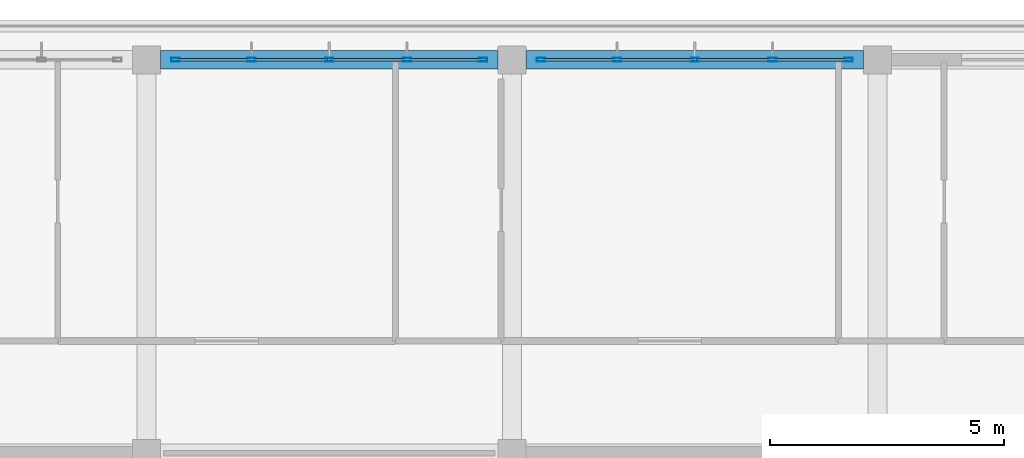
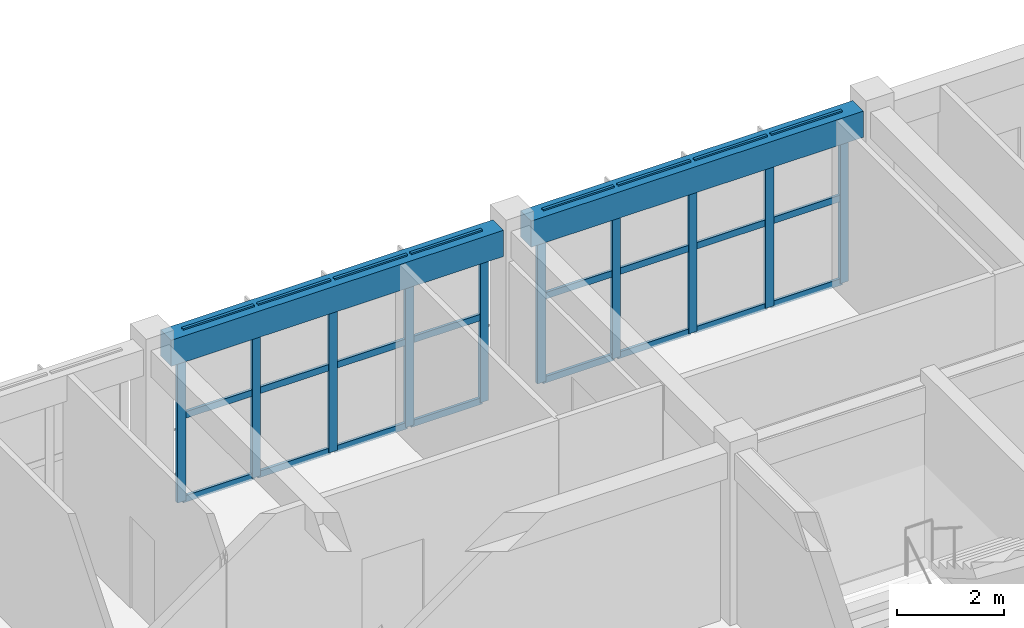
# One storey, part 17 of 50: 34 members, 2 beams, 2 elements without a shape of their own.
"""IFC4 building model written with IfcOpenShell, lengths in metres."""

from ifc_helpers import new_model, si_unit, direction, frame, origin, origin_2d, place, context, subcontext, project, spatial, rectangle, hollow_rectangle, extrude, material, layer, layer_set, material_profile, profile_set, type_object, element, aggregate, save


model = new_model("IFC4")

# Units and contexts
model_context = context("Model", 3, precision=1e-05, world=origin(), true_north=direction((0.0, 1.0)))
body_context = subcontext(model_context, "Body", "Model", "MODEL_VIEW")
ifc_project = project(units=[si_unit("LENGTHUNIT", "METRE"), si_unit("AREAUNIT", "SQUARE_METRE"), si_unit("VOLUMEUNIT", "CUBIC_METRE"), si_unit("PLANEANGLEUNIT", "RADIAN"), si_unit("MASSUNIT", "GRAM", prefix="KILO")], contexts=[model_context])

# Site, building, storey
site_placement = place(None, origin())
site = spatial("IfcSite", under=ifc_project, at=site_placement, CompositionType="ELEMENT")
building_placement = place(site_placement, origin())
building = spatial("IfcBuilding", under=site, at=building_placement, Name="Zizhar Promenade General Hospital", CompositionType="ELEMENT")
storey_placement = place(building_placement, frame((0.0, 0.0, 30.60009765625)))
storey = spatial("IfcBuildingStorey", under=building, at=storey_placement, Name="L07", CompositionType="ELEMENT", Elevation=30.60009765625)

# Beams
ifc_material_1 = material(Name="Concrete C35/45", Category="concrete")
ifc_material_profile_1 = material_profile(ifc_material_1, rectangle(XDim=0.39990234375, YDim=0.60009765625, at=origin_2d()))
ifc_profile_set_1 = profile_set([ifc_material_profile_1], Name="Concrete C35/45")
beam_type = type_object("IfcBeamType", Name="BM-RC-400x600", PredefinedType="JOIST", material=ifc_profile_set_1)
beam_1_placement = place(storey_placement, frame((54.89990234375, 25.199951171875, 3.60986328125), z_axis=(1.0, 0.0, 0.0), x_axis=(0.0, 1.0, 0.0)))
element("IfcBeam", 1, at=beam_1_placement, inside=storey, type_object=beam_type, Name="Grid Beam X L07 (7-3)", PredefinedType="JOIST", context=body_context, shape_type="SweptSolid", body=[
    extrude(rectangle(XDim=0.39990234375, YDim=0.60009765625, at=origin_2d()), origin(), (0.0, 0.0, 1.0), 7.2001953125),
])
beam_2_placement = place(storey_placement, frame((62.699951171875, 25.199951171875, 3.60986328125), z_axis=(1.0, 0.0, 0.0), x_axis=(0.0, 1.0, 0.0)))
element("IfcBeam", 2, at=beam_2_placement, inside=storey, type_object=beam_type, Name="Grid Beam X L07 (8-3)", PredefinedType="JOIST", context=body_context, shape_type="SweptSolid", body=[
    extrude(rectangle(XDim=0.39990234375, YDim=0.60009765625, at=origin_2d()), origin(), (0.0, 0.0, 1.0), 7.199951171875),
])

# Curtain wall, members
ifc_material_2 = material(Name="Anodised aluminium 6063-T6 and low-E glass", Category="aluminium")
ifc_layer = layer(ifc_material_2, 0.159912109375)
ifc_layer_set = layer_set([ifc_layer], Name="Anodised aluminium 6063-T6 and low-E glass")
curtain_wall_type = type_object("IfcCurtainWallType", Name="CW-WARD-RIB", PredefinedType="NOTDEFINED", material=ifc_layer_set)
curtain_wall_1_placement = place(storey_placement, origin())
curtain_wall_1 = element("IfcCurtainWall", 3, at=curtain_wall_1_placement, inside=storey, type_object=curtain_wall_type, Name="Ward Ribbon Curtain Wall L07-8-2", PredefinedType="NOTDEFINED")
ifc_material_3 = material(Name="Anodised aluminium 6063-T6", Category="aluminium")
ifc_material_profile_2 = material_profile(ifc_material_3, hollow_rectangle(XDim=0.080078125, YDim=0.179931640625, WallThickness=0.0048828125, at=origin_2d()))
ifc_profile_set_2 = profile_set([ifc_material_profile_2], Name="Anodised aluminium 6063-T6")
member_type_1 = type_object("IfcMemberType", Name="CWM-ALU-180x80", PredefinedType="MULLION", material=ifc_profile_set_2)
member_1_placement = place(storey_placement, frame((55.219970703125, 25.199951171875, 0.0), z_axis=(0.0, 0.0, 1.0), x_axis=(0.0, 1.0, 0.0)))
member_1 = element("IfcMember", 4, at=member_1_placement, type_object=member_type_1, Name="CW-13 mullion 1", PredefinedType="MULLION", context=body_context, shape_type="SweptSolid", body=[
    extrude(hollow_rectangle(XDim=0.080078125, YDim=0.179931640625, WallThickness=0.0048828125, at=origin_2d()), origin(), (0.0, 0.0, 1.0), 3.89990234375),
])
member_2_placement = place(storey_placement, frame((56.840087890625, 25.199951171875, 0.0), z_axis=(0.0, 0.0, 1.0), x_axis=(0.0, 1.0, 0.0)))
member_2 = element("IfcMember", 5, at=member_2_placement, type_object=member_type_1, Name="CW-13 mullion 2", PredefinedType="MULLION", context=body_context, shape_type="SweptSolid", body=[
    extrude(hollow_rectangle(XDim=0.080078125, YDim=0.179931640625, WallThickness=0.0048828125, at=origin_2d()), origin(), (0.0, 0.0, 1.0), 3.89990234375),
])
member_3_placement = place(storey_placement, frame((58.5, 25.199951171875, 0.0), z_axis=(0.0, 0.0, 1.0), x_axis=(0.0, 1.0, 0.0)))
member_3 = element("IfcMember", 6, at=member_3_placement, type_object=member_type_1, Name="CW-13 mullion 3", PredefinedType="MULLION", context=body_context, shape_type="SweptSolid", body=[
    extrude(hollow_rectangle(XDim=0.080078125, YDim=0.179931640625, WallThickness=0.0048828125, at=origin_2d()), origin(), (0.0, 0.0, 1.0), 3.89990234375),
])
member_4_placement = place(storey_placement, frame((60.159912109375, 25.199951171875, 0.0), z_axis=(0.0, 0.0, 1.0), x_axis=(0.0, 1.0, 0.0)))
member_4 = element("IfcMember", 7, at=member_4_placement, type_object=member_type_1, Name="CW-13 mullion 4", PredefinedType="MULLION", context=body_context, shape_type="SweptSolid", body=[
    extrude(hollow_rectangle(XDim=0.080078125, YDim=0.179931640625, WallThickness=0.0048828125, at=origin_2d()), origin(), (0.0, 0.0, 1.0), 3.89990234375),
])
member_5_placement = place(storey_placement, frame((61.780029296875, 25.199951171875, 0.0), z_axis=(0.0, 0.0, 1.0), x_axis=(0.0, 1.0, 0.0)))
member_5 = element("IfcMember", 8, at=member_5_placement, type_object=member_type_1, Name="CW-13 mullion 5", PredefinedType="MULLION", context=body_context, shape_type="SweptSolid", body=[
    extrude(hollow_rectangle(XDim=0.080078125, YDim=0.179931640625, WallThickness=0.0048828125, at=origin_2d()), origin(), (0.0, 0.0, 1.0), 3.89990234375),
])

curtain_wall_2_placement = place(storey_placement, origin())
curtain_wall_2 = element("IfcCurtainWall", 9, at=curtain_wall_2_placement, inside=storey, type_object=curtain_wall_type, Name="Ward Ribbon Curtain Wall L07-8-3", PredefinedType="NOTDEFINED")
member_6_placement = place(storey_placement, frame((63.02001953125, 25.199951171875, 0.0), z_axis=(0.0, 0.0, 1.0), x_axis=(0.0, 1.0, 0.0)))
member_6 = element("IfcMember", 10, at=member_6_placement, type_object=member_type_1, Name="CW-13 mullion 1", PredefinedType="MULLION", context=body_context, shape_type="SweptSolid", body=[
    extrude(hollow_rectangle(XDim=0.080078125, YDim=0.179931640625, WallThickness=0.0048828125, at=origin_2d()), origin(), (0.0, 0.0, 1.0), 3.89990234375),
])
member_7_placement = place(storey_placement, frame((64.639892578125, 25.199951171875, 0.0), z_axis=(0.0, 0.0, 1.0), x_axis=(0.0, 1.0, 0.0)))
member_7 = element("IfcMember", 11, at=member_7_placement, type_object=member_type_1, Name="CW-13 mullion 2", PredefinedType="MULLION", context=body_context, shape_type="SweptSolid", body=[
    extrude(hollow_rectangle(XDim=0.080078125, YDim=0.179931640625, WallThickness=0.0048828125, at=origin_2d()), origin(), (0.0, 0.0, 1.0), 3.89990234375),
])
member_8_placement = place(storey_placement, frame((66.300048828125, 25.199951171875, 0.0), z_axis=(0.0, 0.0, 1.0), x_axis=(0.0, 1.0, 0.0)))
member_8 = element("IfcMember", 12, at=member_8_placement, type_object=member_type_1, Name="CW-13 mullion 3", PredefinedType="MULLION", context=body_context, shape_type="SweptSolid", body=[
    extrude(hollow_rectangle(XDim=0.080078125, YDim=0.179931640625, WallThickness=0.0048828125, at=origin_2d()), origin(), (0.0, 0.0, 1.0), 3.89990234375),
])
member_9_placement = place(storey_placement, frame((67.9599609375, 25.199951171875, 0.0), z_axis=(0.0, 0.0, 1.0), x_axis=(0.0, 1.0, 0.0)))
member_9 = element("IfcMember", 13, at=member_9_placement, type_object=member_type_1, Name="CW-13 mullion 4", PredefinedType="MULLION", context=body_context, shape_type="SweptSolid", body=[
    extrude(hollow_rectangle(XDim=0.080078125, YDim=0.179931640625, WallThickness=0.0048828125, at=origin_2d()), origin(), (0.0, 0.0, 1.0), 3.89990234375),
])
member_10_placement = place(storey_placement, frame((69.580078125, 25.199951171875, 0.0), z_axis=(0.0, 0.0, 1.0), x_axis=(0.0, 1.0, 0.0)))
member_10 = element("IfcMember", 14, at=member_10_placement, type_object=member_type_1, Name="CW-13 mullion 5", PredefinedType="MULLION", context=body_context, shape_type="SweptSolid", body=[
    extrude(hollow_rectangle(XDim=0.080078125, YDim=0.179931640625, WallThickness=0.0048828125, at=origin_2d()), origin(), (0.0, 0.0, 1.0), 3.89990234375),
])

# Member
ifc_material_4 = material(Name="Anodised aluminium 6063-T6", Category="aluminium")
ifc_material_profile_3 = material_profile(ifc_material_4, hollow_rectangle(XDim=0.06005859375, YDim=0.14990234375, WallThickness=0.00390625, at=origin_2d()))
ifc_profile_set_3 = profile_set([ifc_material_profile_3], Name="Anodised aluminium 6063-T6")
member_type_2 = type_object("IfcMemberType", Name="CWT-ALU-150x60", PredefinedType="USERDEFINED", material=ifc_profile_set_3)
member_11_placement = place(storey_placement, frame((55.260009765625, 25.199951171875, 0.02978515625), z_axis=(1.0, 0.0, 0.0), x_axis=(0.0, 1.0, 0.0)))
member_11 = element("IfcMember", 15, at=member_11_placement, type_object=member_type_2, Name="CW-13 transom 1.1", ObjectType="TRANSOM", PredefinedType="USERDEFINED", context=body_context, shape_type="SweptSolid", body=[
    extrude(hollow_rectangle(XDim=0.06005859375, YDim=0.14990234375, WallThickness=0.00390625, at=origin_2d()), origin(), (0.0, 0.0, 1.0), 1.5400390625),
])

member_12_placement = place(storey_placement, frame((55.260009765625, 25.199951171875, 1.949951171875), z_axis=(1.0, 0.0, 0.0), x_axis=(0.0, 1.0, 0.0)))
member_12 = element("IfcMember", 16, at=member_12_placement, type_object=member_type_2, Name="CW-13 transom 1.2", ObjectType="TRANSOM", PredefinedType="USERDEFINED", context=body_context, shape_type="SweptSolid", body=[
    extrude(hollow_rectangle(XDim=0.06005859375, YDim=0.14990234375, WallThickness=0.00390625, at=origin_2d()), origin(), (0.0, 0.0, 1.0), 1.5400390625),
])

member_13_placement = place(storey_placement, frame((55.260009765625, 25.199951171875, 3.869873046875), z_axis=(1.0, 0.0, 0.0), x_axis=(0.0, 1.0, 0.0)))
member_13 = element("IfcMember", 17, at=member_13_placement, type_object=member_type_2, Name="CW-13 transom 1.3", ObjectType="TRANSOM", PredefinedType="USERDEFINED", context=body_context, shape_type="SweptSolid", body=[
    extrude(hollow_rectangle(XDim=0.06005859375, YDim=0.14990234375, WallThickness=0.00390625, at=origin_2d()), origin(), (0.0, 0.0, 1.0), 1.5400390625),
])

member_14_placement = place(storey_placement, frame((56.8798828125, 25.199951171875, 0.02978515625), z_axis=(1.0, 0.0, 0.0), x_axis=(0.0, 1.0, 0.0)))
member_14 = element("IfcMember", 18, at=member_14_placement, type_object=member_type_2, Name="CW-13 transom 2.1", ObjectType="TRANSOM", PredefinedType="USERDEFINED", context=body_context, shape_type="SweptSolid", body=[
    extrude(hollow_rectangle(XDim=0.06005859375, YDim=0.14990234375, WallThickness=0.00390625, at=origin_2d()), origin(), (0.0, 0.0, 1.0), 1.580078125),
])

member_15_placement = place(storey_placement, frame((56.8798828125, 25.199951171875, 1.949951171875), z_axis=(1.0, 0.0, 0.0), x_axis=(0.0, 1.0, 0.0)))
member_15 = element("IfcMember", 19, at=member_15_placement, type_object=member_type_2, Name="CW-13 transom 2.2", ObjectType="TRANSOM", PredefinedType="USERDEFINED", context=body_context, shape_type="SweptSolid", body=[
    extrude(hollow_rectangle(XDim=0.06005859375, YDim=0.14990234375, WallThickness=0.00390625, at=origin_2d()), origin(), (0.0, 0.0, 1.0), 1.580078125),
])

member_16_placement = place(storey_placement, frame((56.8798828125, 25.199951171875, 3.869873046875), z_axis=(1.0, 0.0, 0.0), x_axis=(0.0, 1.0, 0.0)))
member_16 = element("IfcMember", 20, at=member_16_placement, type_object=member_type_2, Name="CW-13 transom 2.3", ObjectType="TRANSOM", PredefinedType="USERDEFINED", context=body_context, shape_type="SweptSolid", body=[
    extrude(hollow_rectangle(XDim=0.06005859375, YDim=0.14990234375, WallThickness=0.00390625, at=origin_2d()), origin(), (0.0, 0.0, 1.0), 1.580078125),
])

member_17_placement = place(storey_placement, frame((58.5400390625, 25.199951171875, 0.02978515625), z_axis=(1.0, 0.0, 0.0), x_axis=(0.0, 1.0, 0.0)))
member_17 = element("IfcMember", 21, at=member_17_placement, type_object=member_type_2, Name="CW-13 transom 3.1", ObjectType="TRANSOM", PredefinedType="USERDEFINED", context=body_context, shape_type="SweptSolid", body=[
    extrude(hollow_rectangle(XDim=0.06005859375, YDim=0.14990234375, WallThickness=0.00390625, at=origin_2d()), origin(), (0.0, 0.0, 1.0), 1.580078125),
])

member_18_placement = place(storey_placement, frame((58.5400390625, 25.199951171875, 1.949951171875), z_axis=(1.0, 0.0, 0.0), x_axis=(0.0, 1.0, 0.0)))
member_18 = element("IfcMember", 22, at=member_18_placement, type_object=member_type_2, Name="CW-13 transom 3.2", ObjectType="TRANSOM", PredefinedType="USERDEFINED", context=body_context, shape_type="SweptSolid", body=[
    extrude(hollow_rectangle(XDim=0.06005859375, YDim=0.14990234375, WallThickness=0.00390625, at=origin_2d()), origin(), (0.0, 0.0, 1.0), 1.580078125),
])

member_19_placement = place(storey_placement, frame((58.5400390625, 25.199951171875, 3.869873046875), z_axis=(1.0, 0.0, 0.0), x_axis=(0.0, 1.0, 0.0)))
member_19 = element("IfcMember", 23, at=member_19_placement, type_object=member_type_2, Name="CW-13 transom 3.3", ObjectType="TRANSOM", PredefinedType="USERDEFINED", context=body_context, shape_type="SweptSolid", body=[
    extrude(hollow_rectangle(XDim=0.06005859375, YDim=0.14990234375, WallThickness=0.00390625, at=origin_2d()), origin(), (0.0, 0.0, 1.0), 1.580078125),
])

member_20_placement = place(storey_placement, frame((60.199951171875, 25.199951171875, 0.02978515625), z_axis=(1.0, 0.0, 0.0), x_axis=(0.0, 1.0, 0.0)))
member_20 = element("IfcMember", 24, at=member_20_placement, type_object=member_type_2, Name="CW-13 transom 4.1", ObjectType="TRANSOM", PredefinedType="USERDEFINED", context=body_context, shape_type="SweptSolid", body=[
    extrude(hollow_rectangle(XDim=0.06005859375, YDim=0.14990234375, WallThickness=0.00390625, at=origin_2d()), origin(), (0.0, 0.0, 1.0), 1.5400390625),
])

member_21_placement = place(storey_placement, frame((60.199951171875, 25.199951171875, 1.949951171875), z_axis=(1.0, 0.0, 0.0), x_axis=(0.0, 1.0, 0.0)))
member_21 = element("IfcMember", 25, at=member_21_placement, type_object=member_type_2, Name="CW-13 transom 4.2", ObjectType="TRANSOM", PredefinedType="USERDEFINED", context=body_context, shape_type="SweptSolid", body=[
    extrude(hollow_rectangle(XDim=0.06005859375, YDim=0.14990234375, WallThickness=0.00390625, at=origin_2d()), origin(), (0.0, 0.0, 1.0), 1.5400390625),
])

member_22_placement = place(storey_placement, frame((60.199951171875, 25.199951171875, 3.869873046875), z_axis=(1.0, 0.0, 0.0), x_axis=(0.0, 1.0, 0.0)))
member_22 = element("IfcMember", 26, at=member_22_placement, type_object=member_type_2, Name="CW-13 transom 4.3", ObjectType="TRANSOM", PredefinedType="USERDEFINED", context=body_context, shape_type="SweptSolid", body=[
    extrude(hollow_rectangle(XDim=0.06005859375, YDim=0.14990234375, WallThickness=0.00390625, at=origin_2d()), origin(), (0.0, 0.0, 1.0), 1.5400390625),
])

aggregate(curtain_wall_1, [member_1, member_2, member_3, member_4, member_5, member_11, member_12, member_13, member_14, member_15, member_16, member_17, member_18, member_19, member_20, member_21, member_22])

member_23_placement = place(storey_placement, frame((63.06005859375, 25.199951171875, 0.02978515625), z_axis=(1.0, 0.0, 0.0), x_axis=(0.0, 1.0, 0.0)))
member_23 = element("IfcMember", 27, at=member_23_placement, type_object=member_type_2, Name="CW-13 transom 1.1", ObjectType="TRANSOM", PredefinedType="USERDEFINED", context=body_context, shape_type="SweptSolid", body=[
    extrude(hollow_rectangle(XDim=0.06005859375, YDim=0.14990234375, WallThickness=0.00390625, at=origin_2d()), origin(), (0.0, 0.0, 1.0), 1.5400390625),
])

member_24_placement = place(storey_placement, frame((63.06005859375, 25.199951171875, 1.949951171875), z_axis=(1.0, 0.0, 0.0), x_axis=(0.0, 1.0, 0.0)))
member_24 = element("IfcMember", 28, at=member_24_placement, type_object=member_type_2, Name="CW-13 transom 1.2", ObjectType="TRANSOM", PredefinedType="USERDEFINED", context=body_context, shape_type="SweptSolid", body=[
    extrude(hollow_rectangle(XDim=0.06005859375, YDim=0.14990234375, WallThickness=0.00390625, at=origin_2d()), origin(), (0.0, 0.0, 1.0), 1.5400390625),
])

member_25_placement = place(storey_placement, frame((63.06005859375, 25.199951171875, 3.869873046875), z_axis=(1.0, 0.0, 0.0), x_axis=(0.0, 1.0, 0.0)))
member_25 = element("IfcMember", 29, at=member_25_placement, type_object=member_type_2, Name="CW-13 transom 1.3", ObjectType="TRANSOM", PredefinedType="USERDEFINED", context=body_context, shape_type="SweptSolid", body=[
    extrude(hollow_rectangle(XDim=0.06005859375, YDim=0.14990234375, WallThickness=0.00390625, at=origin_2d()), origin(), (0.0, 0.0, 1.0), 1.5400390625),
])

member_26_placement = place(storey_placement, frame((64.679931640625, 25.199951171875, 0.02978515625), z_axis=(1.0, 0.0, 0.0), x_axis=(0.0, 1.0, 0.0)))
member_26 = element("IfcMember", 30, at=member_26_placement, type_object=member_type_2, Name="CW-13 transom 2.1", ObjectType="TRANSOM", PredefinedType="USERDEFINED", context=body_context, shape_type="SweptSolid", body=[
    extrude(hollow_rectangle(XDim=0.06005859375, YDim=0.14990234375, WallThickness=0.00390625, at=origin_2d()), origin(), (0.0, 0.0, 1.0), 1.580078125),
])

member_27_placement = place(storey_placement, frame((64.679931640625, 25.199951171875, 1.949951171875), z_axis=(1.0, 0.0, 0.0), x_axis=(0.0, 1.0, 0.0)))
member_27 = element("IfcMember", 31, at=member_27_placement, type_object=member_type_2, Name="CW-13 transom 2.2", ObjectType="TRANSOM", PredefinedType="USERDEFINED", context=body_context, shape_type="SweptSolid", body=[
    extrude(hollow_rectangle(XDim=0.06005859375, YDim=0.14990234375, WallThickness=0.00390625, at=origin_2d()), origin(), (0.0, 0.0, 1.0), 1.580078125),
])

member_28_placement = place(storey_placement, frame((64.679931640625, 25.199951171875, 3.869873046875), z_axis=(1.0, 0.0, 0.0), x_axis=(0.0, 1.0, 0.0)))
member_28 = element("IfcMember", 32, at=member_28_placement, type_object=member_type_2, Name="CW-13 transom 2.3", ObjectType="TRANSOM", PredefinedType="USERDEFINED", context=body_context, shape_type="SweptSolid", body=[
    extrude(hollow_rectangle(XDim=0.06005859375, YDim=0.14990234375, WallThickness=0.00390625, at=origin_2d()), origin(), (0.0, 0.0, 1.0), 1.580078125),
])

member_29_placement = place(storey_placement, frame((66.340087890625, 25.199951171875, 0.02978515625), z_axis=(1.0, 0.0, 0.0), x_axis=(0.0, 1.0, 0.0)))
member_29 = element("IfcMember", 33, at=member_29_placement, type_object=member_type_2, Name="CW-13 transom 3.1", ObjectType="TRANSOM", PredefinedType="USERDEFINED", context=body_context, shape_type="SweptSolid", body=[
    extrude(hollow_rectangle(XDim=0.06005859375, YDim=0.14990234375, WallThickness=0.00390625, at=origin_2d()), origin(), (0.0, 0.0, 1.0), 1.579833984375),
])

member_30_placement = place(storey_placement, frame((66.340087890625, 25.199951171875, 1.949951171875), z_axis=(1.0, 0.0, 0.0), x_axis=(0.0, 1.0, 0.0)))
member_30 = element("IfcMember", 34, at=member_30_placement, type_object=member_type_2, Name="CW-13 transom 3.2", ObjectType="TRANSOM", PredefinedType="USERDEFINED", context=body_context, shape_type="SweptSolid", body=[
    extrude(hollow_rectangle(XDim=0.06005859375, YDim=0.14990234375, WallThickness=0.00390625, at=origin_2d()), origin(), (0.0, 0.0, 1.0), 1.579833984375),
])

member_31_placement = place(storey_placement, frame((66.340087890625, 25.199951171875, 3.869873046875), z_axis=(1.0, 0.0, 0.0), x_axis=(0.0, 1.0, 0.0)))
member_31 = element("IfcMember", 35, at=member_31_placement, type_object=member_type_2, Name="CW-13 transom 3.3", ObjectType="TRANSOM", PredefinedType="USERDEFINED", context=body_context, shape_type="SweptSolid", body=[
    extrude(hollow_rectangle(XDim=0.06005859375, YDim=0.14990234375, WallThickness=0.00390625, at=origin_2d()), origin(), (0.0, 0.0, 1.0), 1.579833984375),
])

member_32_placement = place(storey_placement, frame((68.0, 25.199951171875, 0.02978515625), z_axis=(1.0, 0.0, 0.0), x_axis=(0.0, 1.0, 0.0)))
member_32 = element("IfcMember", 36, at=member_32_placement, type_object=member_type_2, Name="CW-13 transom 4.1", ObjectType="TRANSOM", PredefinedType="USERDEFINED", context=body_context, shape_type="SweptSolid", body=[
    extrude(hollow_rectangle(XDim=0.06005859375, YDim=0.14990234375, WallThickness=0.00390625, at=origin_2d()), origin(), (0.0, 0.0, 1.0), 1.5400390625),
])

member_33_placement = place(storey_placement, frame((68.0, 25.199951171875, 1.949951171875), z_axis=(1.0, 0.0, 0.0), x_axis=(0.0, 1.0, 0.0)))
member_33 = element("IfcMember", 37, at=member_33_placement, type_object=member_type_2, Name="CW-13 transom 4.2", ObjectType="TRANSOM", PredefinedType="USERDEFINED", context=body_context, shape_type="SweptSolid", body=[
    extrude(hollow_rectangle(XDim=0.06005859375, YDim=0.14990234375, WallThickness=0.00390625, at=origin_2d()), origin(), (0.0, 0.0, 1.0), 1.5400390625),
])

member_34_placement = place(storey_placement, frame((68.0, 25.199951171875, 3.869873046875), z_axis=(1.0, 0.0, 0.0), x_axis=(0.0, 1.0, 0.0)))
member_34 = element("IfcMember", 38, at=member_34_placement, type_object=member_type_2, Name="CW-13 transom 4.3", ObjectType="TRANSOM", PredefinedType="USERDEFINED", context=body_context, shape_type="SweptSolid", body=[
    extrude(hollow_rectangle(XDim=0.06005859375, YDim=0.14990234375, WallThickness=0.00390625, at=origin_2d()), origin(), (0.0, 0.0, 1.0), 1.5400390625),
])

aggregate(curtain_wall_2, [member_6, member_7, member_8, member_9, member_10, member_23, member_24, member_25, member_26, member_27, member_28, member_29, member_30, member_31, member_32, member_33, member_34])

save(model, "model.ifc")
